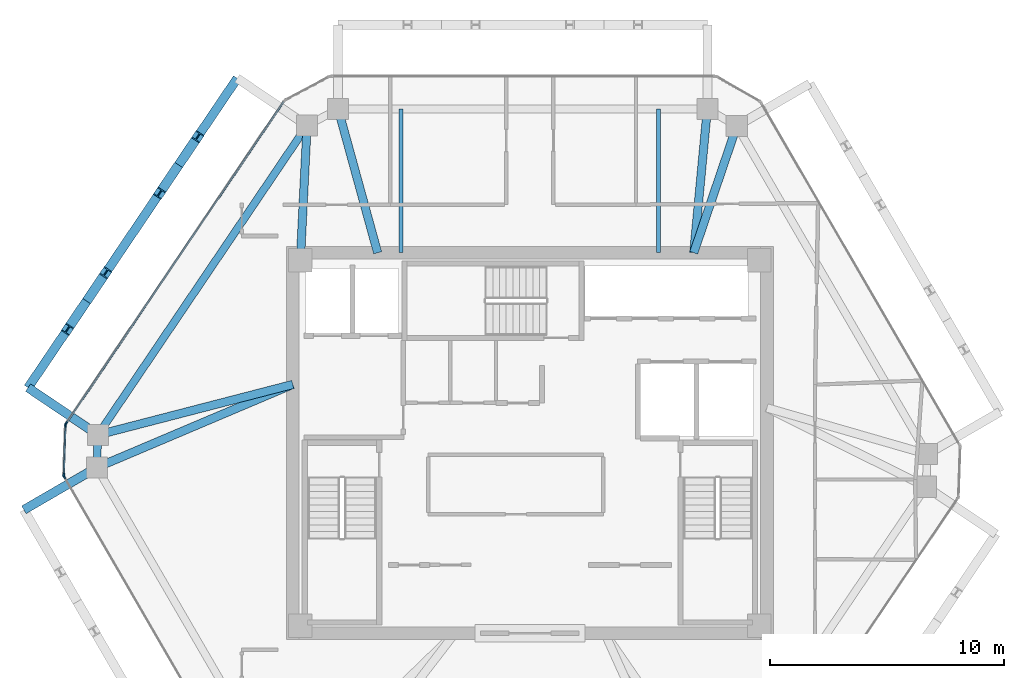
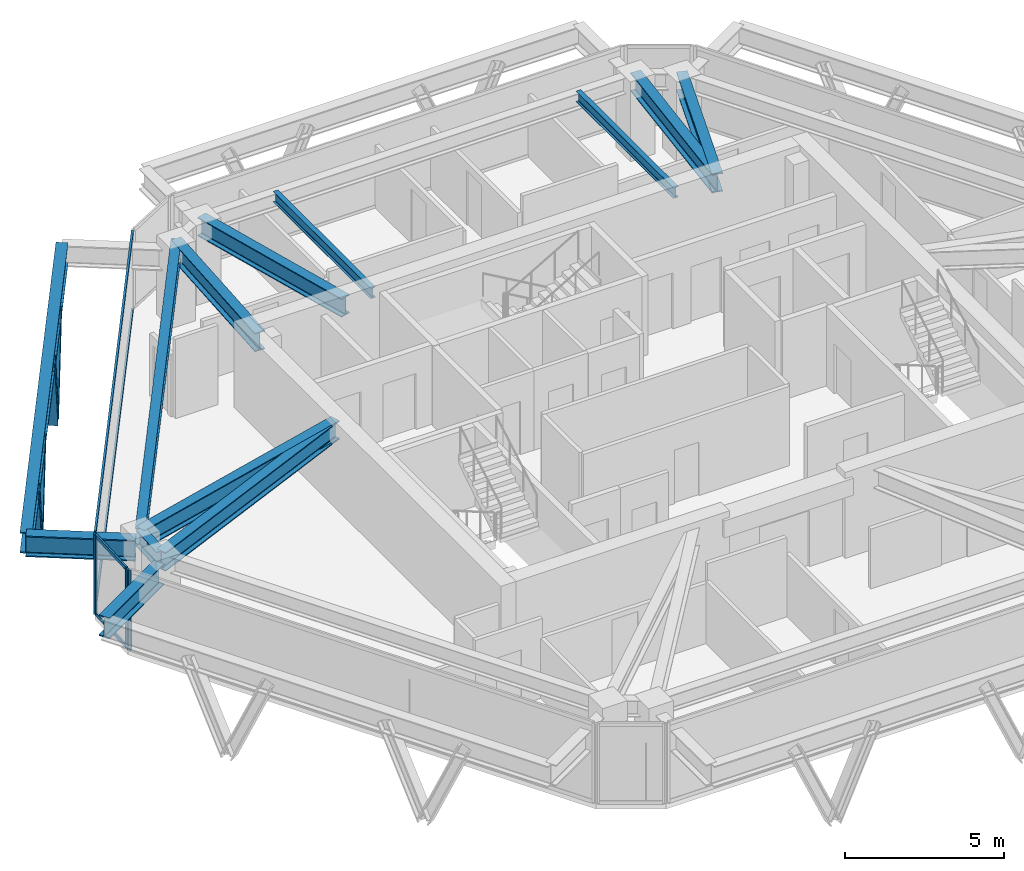
# One storey, part 4 of 11: 13 beams, 12 members, 3 elements without a shape of their own.
"""IFC4 building model written with IfcOpenShell, lengths in metres."""

from ifc_helpers import new_model, si_unit, direction, frame, origin, origin_2d, place, context, subcontext, project, spatial, rectangle, i_section, extrude, source, transform, mapped, material, layer, layer_set, material_profile, profile_set, type_object, type_shapes, element, aggregate, save


model = new_model("IFC4")

# Units and contexts
model_context = context("Model", 3, precision=1e-05, world=origin(), true_north=direction((0.0, 1.0)))
body_context = subcontext(model_context, "Body", "Model", "MODEL_VIEW")
ifc_project = project(units=[si_unit("LENGTHUNIT", "METRE"), si_unit("AREAUNIT", "SQUARE_METRE"), si_unit("VOLUMEUNIT", "CUBIC_METRE"), si_unit("PLANEANGLEUNIT", "RADIAN"), si_unit("MASSUNIT", "GRAM", prefix="KILO")], contexts=[model_context])

# Site, building, storey
site_placement = place(None, origin())
site = spatial("IfcSite", under=ifc_project, at=site_placement, CompositionType="ELEMENT")
building_placement = place(site_placement, origin())
building = spatial("IfcBuilding", under=site, at=building_placement, Name="Durnholm Broadcast Tower", CompositionType="ELEMENT")
storey_placement = place(building_placement, frame((0.0, 0.0, 231.5)))
storey = spatial("IfcBuildingStorey", under=building, at=storey_placement, Name="L64", CompositionType="ELEMENT", Elevation=231.5)

# Beams
ifc_material_1 = material(Name="Steel ASTM A992 Grade 50", Category="steel")
ifc_material_profile_1 = material_profile(ifc_material_1, i_section(OverallWidth=0.385009765625, OverallDepth=0.802978515625, WebThickness=0.023681640625, FlangeThickness=0.0419921875, FilletRadius=0.032958984375, at=origin_2d()), Name="W30X261")
ifc_profile_set_1 = profile_set([ifc_material_profile_1], Name="Steel ASTM A992 Grade 50")
beam_type_1 = type_object("IfcBeamType", Name="BM-EXO-TIE", PredefinedType="USERDEFINED", material=ifc_profile_set_1)
shared_shape_1 = source(origin(), body_context, "Body", "SweptSolid", [
    extrude(i_section(OverallWidth=0.385009765625, OverallDepth=0.802978515625, WebThickness=0.023681640625, FlangeThickness=0.0419921875, FilletRadius=0.032958984375, at=origin_2d()), origin(), (0.0, 0.0, 1.0), 3.4560546875),
])
for number, where, z_axis, x_axis, name in (
    (1, (-18.565673828125, 0.426513671875, 2.30859375), (-0.828413564093, 0.56011692246, 0.0), (-0.56011692246, -0.828413564093, 0.0), "L64 exoskeleton stand-off tie bracket F5.2"),
    (2, (-18.618896484375, -1.1201171875, 2.30859375), (-0.864876013532, -0.501985538852, 0.0), (0.501985538852, -0.864876013532, 0.0), "L64 exoskeleton stand-off tie bracket F6.1"),
):
    element("IfcBeam", number, at=place(storey_placement, frame(where, z_axis=z_axis, x_axis=x_axis)), inside=storey, type_object=beam_type_1, Name=name, ObjectType="GIRDER", PredefinedType="USERDEFINED", context=body_context, shape_type="MappedRepresentation", body=[
        mapped(shared_shape_1, transform((0.0, 0.0, 0.0), x_axis=(1.0, 0.0, 0.0), y_axis=(0.0, 1.0, 0.0), z_axis=(0.0, 0.0, 1.0), scale=1.0)),
    ])
ifc_material_profile_2 = material_profile(ifc_material_1, i_section(OverallWidth=0.3251953125, OverallDepth=0.6162109375, WebThickness=0.013916015625, FlangeThickness=0.021484375, FilletRadius=0.02783203125, at=origin_2d()), Name="W24X117")
ifc_profile_set_2 = profile_set([ifc_material_profile_2], Name="Steel ASTM A992 Grade 50")
beam_type_2 = type_object("IfcBeamType", Name="STL-SP-W24X117", PredefinedType="SPANDREL", material=ifc_profile_set_2)
shared_shape_2 = source(origin(), body_context, "Body", "SweptSolid", [
    extrude(i_section(OverallWidth=0.3251953125, OverallDepth=0.6162109375, WebThickness=0.013916015625, FlangeThickness=0.021484375, FilletRadius=0.02783203125, at=origin_2d()), origin(), (0.0, 0.0, 1.0), 1.39453125),
])
beam_1_placement = place(storey_placement, frame((-18.494384765625, -1.0478515625, 2.73681640625), z_axis=(0.034486393061, 0.999405167434, 0.0), x_axis=(-0.999405167434, 0.034486393061, 0.0)))
element("IfcBeam", 3, at=beam_1_placement, inside=storey, type_object=beam_type_2, Name="L64 perimeter spandrel girder 02", PredefinedType="SPANDREL", context=body_context, shape_type="MappedRepresentation", body=[
    mapped(shared_shape_2, transform((0.0, 0.0, 0.0), x_axis=(1.0, 0.0, 0.0), y_axis=(0.0, 1.0, 0.0), z_axis=(0.0, 0.0, 1.0), scale=1.0)),
])
shared_shape_3 = source(origin(), body_context, "Body", "SweptSolid", [
    extrude(i_section(OverallWidth=0.3251953125, OverallDepth=0.6162109375, WebThickness=0.013916015625, FlangeThickness=0.021484375, FilletRadius=0.02783203125, at=origin_2d()), origin(), (0.0, 0.0, 1.0), 15.947265625),
])
type_shapes(beam_type_2, [shared_shape_2, shared_shape_3])
beam_2_placement = place(storey_placement, frame((-18.4462890625, 0.345947265625, 2.73681640625), z_axis=(0.560062212489, 0.828450552623, 0.0), x_axis=(-0.828450552623, 0.560062212489, 0.0)))
element("IfcBeam", 4, at=beam_2_placement, inside=storey, type_object=beam_type_2, Name="L64 perimeter spandrel girder 03", PredefinedType="SPANDREL", context=body_context, shape_type="MappedRepresentation", body=[
    mapped(shared_shape_3, transform((0.0, 0.0, 0.0), x_axis=(1.0, 0.0, 0.0), y_axis=(0.0, 1.0, 0.0), z_axis=(0.0, 0.0, 1.0), scale=1.0)),
])
ifc_material_profile_3 = material_profile(ifc_material_1, i_section(OverallWidth=0.3564453125, OverallDepth=0.713623046875, WebThickness=0.01904296875, FlangeThickness=0.033935546875, FilletRadius=0.030517578125, at=origin_2d()), Name="W27X194")
ifc_profile_set_3 = profile_set([ifc_material_profile_3], Name="Steel ASTM A992 Grade 50")
beam_type_3 = type_object("IfcBeamType", Name="STL-GR-W27X194", PredefinedType="USERDEFINED", material=ifc_profile_set_3)
shared_shape_4 = source(origin(), body_context, "Body", "SweptSolid", [
    extrude(i_section(OverallWidth=0.3564453125, OverallDepth=0.713623046875, WebThickness=0.01904296875, FlangeThickness=0.033935546875, FilletRadius=0.030517578125, at=origin_2d()), origin(), (0.0, 0.0, 1.0), 5.764404296875),
])
beam_3_placement = place(storey_placement, frame((-9.800048828125, 7.800048828125, 2.688232421875), z_axis=(0.049468662109, 0.99877567625, 0.0), x_axis=(-0.99877567625, 0.049468662109, 0.0)))
element("IfcBeam", 5, at=beam_3_placement, inside=storey, type_object=beam_type_3, Name="L64 radial primary floor girder 04", ObjectType="GIRDER", PredefinedType="USERDEFINED", context=body_context, shape_type="MappedRepresentation", body=[
    mapped(shared_shape_4, transform((0.0, 0.0, 0.0), x_axis=(1.0, 0.0, 0.0), y_axis=(0.0, 1.0, 0.0), z_axis=(0.0, 0.0, 1.0), scale=1.0)),
])
shared_shape_5 = source(origin(), body_context, "Body", "SweptSolid", [
    extrude(i_section(OverallWidth=0.385009765625, OverallDepth=0.802978515625, WebThickness=0.023681640625, FlangeThickness=0.0419921875, FilletRadius=0.032958984375, at=origin_2d()), origin(), (0.0, 0.0, 1.0), 15.947021484375),
])
type_shapes(beam_type_1, [shared_shape_1, shared_shape_5])
beam_4_placement = place(storey_placement, frame((-12.497314453125, 15.573486328125, 2.30859375), z_axis=(-0.560069315853, -0.828445750451, 0.0), x_axis=(0.828445750451, -0.560069315853, 0.0)))
element("IfcBeam", 6, at=beam_4_placement, inside=storey, type_object=beam_type_1, Name="L64 exoskeleton collector spandrel F5", PredefinedType="SPANDREL", context=body_context, shape_type="MappedRepresentation", body=[
    mapped(shared_shape_5, transform((0.0, 0.0, 0.0), x_axis=(1.0, 0.0, 0.0), y_axis=(0.0, 1.0, 0.0), z_axis=(0.0, 0.0, 1.0), scale=1.0)),
])
shared_shape_6 = source(origin(), body_context, "Body", "SweptSolid", [
    extrude(i_section(OverallWidth=0.3564453125, OverallDepth=0.713623046875, WebThickness=0.01904296875, FlangeThickness=0.033935546875, FilletRadius=0.030517578125, at=origin_2d()), origin(), (0.0, 0.0, 1.0), 9.09033203125),
])
beam_5_placement = place(storey_placement, frame((-10.125, 2.5, 2.688232421875), z_axis=(-0.920692350722, -0.390289117607, 0.0), x_axis=(0.390289117607, -0.920692350722, 0.0)))
element("IfcBeam", 7, at=beam_5_placement, inside=storey, type_object=beam_type_3, Name="L64 radial primary floor girder 02", ObjectType="GIRDER", PredefinedType="USERDEFINED", context=body_context, shape_type="MappedRepresentation", body=[
    mapped(shared_shape_6, transform((0.0, 0.0, 0.0), x_axis=(1.0, 0.0, 0.0), y_axis=(0.0, 1.0, 0.0), z_axis=(0.0, 0.0, 1.0), scale=1.0)),
])
shared_shape_7 = source(origin(), body_context, "Body", "SweptSolid", [
    extrude(i_section(OverallWidth=0.3564453125, OverallDepth=0.713623046875, WebThickness=0.01904296875, FlangeThickness=0.033935546875, FilletRadius=0.030517578125, at=origin_2d()), origin(), (0.0, 0.0, 1.0), 8.595458984375),
])
beam_6_placement = place(storey_placement, frame((-10.125, 2.5, 2.688232421875), z_axis=(-0.968090619149, -0.250600385306, 0.0), x_axis=(0.250600385306, -0.968090619149, 0.0)))
element("IfcBeam", 8, at=beam_6_placement, inside=storey, type_object=beam_type_3, Name="L64 radial primary floor girder 03", ObjectType="GIRDER", PredefinedType="USERDEFINED", context=body_context, shape_type="MappedRepresentation", body=[
    mapped(shared_shape_7, transform((0.0, 0.0, 0.0), x_axis=(1.0, 0.0, 0.0), y_axis=(0.0, 1.0, 0.0), z_axis=(0.0, 0.0, 1.0), scale=1.0)),
])
shared_shape_8 = source(origin(), body_context, "Body", "SweptSolid", [
    extrude(i_section(OverallWidth=0.3564453125, OverallDepth=0.713623046875, WebThickness=0.01904296875, FlangeThickness=0.033935546875, FilletRadius=0.030517578125, at=origin_2d()), origin(), (0.0, 0.0, 1.0), 6.36474609375),
])
beam_7_placement = place(storey_placement, frame((-6.5, 8.125, 2.688232421875), z_axis=(-0.265168072834, 0.96420220553, 0.0), x_axis=(-0.96420220553, -0.265168072834, 0.0)))
element("IfcBeam", 9, at=beam_7_placement, inside=storey, type_object=beam_type_3, Name="L64 radial primary floor girder 05", ObjectType="GIRDER", PredefinedType="USERDEFINED", context=body_context, shape_type="MappedRepresentation", body=[
    mapped(shared_shape_8, transform((0.0, 0.0, 0.0), x_axis=(1.0, 0.0, 0.0), y_axis=(0.0, 1.0, 0.0), z_axis=(0.0, 0.0, 1.0), scale=1.0)),
])
shared_shape_9 = source(origin(), body_context, "Body", "SweptSolid", [
    extrude(i_section(OverallWidth=0.3564453125, OverallDepth=0.713623046875, WebThickness=0.01904296875, FlangeThickness=0.033935546875, FilletRadius=0.030517578125, at=origin_2d()), origin(), (0.0, 0.0, 1.0), 6.164306640625),
])
beam_8_placement = place(storey_placement, frame((7.0, 8.125, 2.688232421875), z_axis=(0.094024068139, 0.995569924521, 0.0), x_axis=(-0.995569924521, 0.094024068139, 0.0)))
element("IfcBeam", 10, at=beam_8_placement, inside=storey, type_object=beam_type_3, Name="L64 radial primary floor girder 06", ObjectType="GIRDER", PredefinedType="USERDEFINED", context=body_context, shape_type="MappedRepresentation", body=[
    mapped(shared_shape_9, transform((0.0, 0.0, 0.0), x_axis=(1.0, 0.0, 0.0), y_axis=(0.0, 1.0, 0.0), z_axis=(0.0, 0.0, 1.0), scale=1.0)),
])
shared_shape_10 = source(origin(), body_context, "Body", "SweptSolid", [
    extrude(i_section(OverallWidth=0.3564453125, OverallDepth=0.713623046875, WebThickness=0.01904296875, FlangeThickness=0.033935546875, FilletRadius=0.030517578125, at=origin_2d()), origin(), (0.0, 0.0, 1.0), 5.716064453125),
])
type_shapes(beam_type_3, [shared_shape_4, shared_shape_6, shared_shape_7, shared_shape_8, shared_shape_9, shared_shape_10])
beam_9_placement = place(storey_placement, frame((7.0, 8.125, 2.688232421875), z_axis=(0.321450919754, 0.946926241156, 0.0), x_axis=(-0.946926241156, 0.321450919754, 0.0)))
element("IfcBeam", 11, at=beam_9_placement, inside=storey, type_object=beam_type_3, Name="L64 radial primary floor girder 07", ObjectType="GIRDER", PredefinedType="USERDEFINED", context=body_context, shape_type="MappedRepresentation", body=[
    mapped(shared_shape_10, transform((0.0, 0.0, 0.0), x_axis=(1.0, 0.0, 0.0), y_axis=(0.0, 1.0, 0.0), z_axis=(0.0, 0.0, 1.0), scale=1.0)),
])
ifc_material_profile_4 = material_profile(ifc_material_1, i_section(OverallWidth=0.177734375, OverallDepth=0.40673828125, WebThickness=0.0078125, FlangeThickness=0.0126953125, FilletRadius=0.01904296875, at=origin_2d()), Name="W16X40")
ifc_profile_set_4 = profile_set([ifc_material_profile_4], Name="Steel ASTM A992 Grade 50")
beam_type_4 = type_object("IfcBeamType", Name="STL-BJ-W16X40", PredefinedType="JOIST", material=ifc_profile_set_4)
shared_shape_11 = source(origin(), body_context, "Body", "SweptSolid", [
    extrude(i_section(OverallWidth=0.177734375, OverallDepth=0.40673828125, WebThickness=0.0078125, FlangeThickness=0.0126953125, FilletRadius=0.01904296875, at=origin_2d()), origin(), (0.0, 0.0, 1.0), 6.136962890625),
])
type_shapes(beam_type_4, [shared_shape_11])
for number, where, z_axis, x_axis, name in (
    (12, (-5.5, 8.125, 2.841796875), (0.0, 1.0, 0.0), (-1.0, 0.0, 0.0), "L64 secondary floor joist 3.2"),
    (13, (5.5, 8.125, 2.841796875), (0.0, 1.0, 0.0), (-1.0, 0.0, 0.0), "L64 secondary floor joist 4.2"),
):
    element("IfcBeam", number, at=place(storey_placement, frame(where, z_axis=z_axis, x_axis=x_axis)), inside=storey, type_object=beam_type_4, Name=name, PredefinedType="JOIST", context=body_context, shape_type="MappedRepresentation", body=[
        mapped(shared_shape_11, transform((0.0, 0.0, 0.0), x_axis=(1.0, 0.0, 0.0), y_axis=(0.0, 1.0, 0.0), z_axis=(0.0, 0.0, 1.0), scale=1.0)),
    ])

# Members
ifc_material_2 = material(Name="Steel ASTM A913 Grade 65", Category="steel")
ifc_material_profile_5 = material_profile(ifc_material_2, i_section(OverallWidth=0.40625, OverallDepth=0.416015625, WebThickness=0.02978515625, FlangeThickness=0.048095703125, FilletRadius=0.030517578125, at=origin_2d()), Name="W14X257")
ifc_profile_set_5 = profile_set([ifc_material_profile_5], Name="Steel ASTM A913 Grade 65")
member_type_1 = type_object("IfcMemberType", Name="STL-DG-W14X257", PredefinedType="BRACE", material=ifc_profile_set_5)
shared_shape_12 = source(origin(), body_context, "Body", "SweptSolid", [
    extrude(i_section(OverallWidth=0.40625, OverallDepth=0.416015625, WebThickness=0.02978515625, FlangeThickness=0.048095703125, FilletRadius=0.030517578125, at=origin_2d()), origin(), (0.0, 0.0, 1.0), 3.60791015625),
])
type_shapes(member_type_1, [shared_shape_12])
for number, where, z_axis, x_axis, name in (
    (14, (-14.998046875, 11.874267578125, -0.991455078125), (0.226349134478, 0.334888450383, 0.914667040579), (-0.828505003222, 0.559981660089, 0.0), "L64 stand-off diagrid brace F5.D1.1"),
    (15, (-14.998046875, 11.874267578125, -0.991455078125), (-0.226354263477, -0.334828369412, 0.914687766641), (0.828452496411, -0.560059337206, 0.0), "L64 stand-off diagrid brace F5.D1.2"),
    (16, (-18.927978515625, 6.061279296875, -0.991455078125), (0.226354263477, 0.334828369412, 0.914687766641), (-0.828452496411, 0.560059337206, 0.0), "L64 stand-off diagrid brace F5.D2.1"),
    (17, (-18.927978515625, 6.061279296875, -0.991455078125), (-0.226354263477, -0.334828369412, 0.914687766641), (0.828452496411, -0.560059337206, 0.0), "L64 stand-off diagrid brace F5.D2.2"),
):
    element("IfcMember", number, at=place(storey_placement, frame(where, z_axis=z_axis, x_axis=x_axis)), inside=storey, type_object=member_type_1, Name=name, PredefinedType="BRACE", context=body_context, shape_type="MappedRepresentation", body=[
        mapped(shared_shape_12, transform((0.0, 0.0, 0.0), x_axis=(1.0, 0.0, 0.0), y_axis=(0.0, 1.0, 0.0), z_axis=(0.0, 0.0, 1.0), scale=1.0)),
    ])

# Curtain wall, members
ifc_material_3 = material(Name="Aluminium and Solar Control IGU", Category="aluminium")
ifc_layer_1 = layer(ifc_material_3, 0.1650390625)
ifc_layer_set_1 = layer_set([ifc_layer_1], Name="Aluminium and Solar Control IGU")
curtain_wall_type_1 = type_object("IfcCurtainWallType", Name="CW-SYS-5", PredefinedType="NOTDEFINED", material=ifc_layer_set_1)
curtain_wall_1_placement = place(storey_placement, origin())
curtain_wall_1 = element("IfcCurtainWall", 18, at=curtain_wall_1_placement, inside=storey, type_object=curtain_wall_type_1, Name="L64 curtain wall CW-CORNER CW-L64-CRN-01", PredefinedType="NOTDEFINED")
ifc_material_4 = material(Name="Aluminium 6063-T6", Category="aluminium")
ifc_material_profile_6 = material_profile(ifc_material_4, rectangle(XDim=0.06494140625, YDim=0.1298828125, at=origin_2d()), Name="CWT65X130")
ifc_profile_set_6 = profile_set([ifc_material_profile_6], Name="Aluminium 6063-T6")
member_type_2 = type_object("IfcMemberType", Name="CW-SYS-5-TRN", PredefinedType="USERDEFINED", material=ifc_profile_set_6)
shared_shape_13 = source(origin(), body_context, "Body", "SweptSolid", [
    extrude(rectangle(XDim=0.06494140625, YDim=0.1298828125, at=origin_2d()), origin(), (0.0, 0.0, 1.0), 2.070068359375),
])
type_shapes(member_type_2, [shared_shape_13])
member_1_placement = place(storey_placement, frame((-19.905029296875, -1.33740234375, 0.032470703125), z_axis=(0.034320104965, 0.999410891673, 0.0), x_axis=(-0.999410891673, 0.034320104965, 0.0)))
member_1 = element("IfcMember", 19, at=member_1_placement, type_object=member_type_2, Name="CW-CORNER transom 1.1", ObjectType="TRANSOM", PredefinedType="USERDEFINED", context=body_context, shape_type="MappedRepresentation", body=[
    mapped(shared_shape_13, transform((0.0, 0.0, 0.0), x_axis=(1.0, 0.0, 0.0), y_axis=(0.0, 1.0, 0.0), z_axis=(0.0, 0.0, 1.0), scale=1.0)),
])
member_2_placement = place(storey_placement, frame((-19.905029296875, -1.33740234375, 3.027587890625), z_axis=(0.034320104965, 0.999410891673, 0.0), x_axis=(-0.999410891673, 0.034320104965, 0.0)))
member_2 = element("IfcMember", 20, at=member_2_placement, type_object=member_type_2, Name="CW-CORNER transom 1.2", ObjectType="TRANSOM", PredefinedType="USERDEFINED", context=body_context, shape_type="MappedRepresentation", body=[
    mapped(shared_shape_13, transform((0.0, 0.0, 0.0), x_axis=(1.0, 0.0, 0.0), y_axis=(0.0, 1.0, 0.0), z_axis=(0.0, 0.0, 1.0), scale=1.0)),
])
ifc_material_profile_7 = material_profile(ifc_material_4, rectangle(XDim=0.06494140625, YDim=0.1650390625, at=origin_2d()), Name="CWM65X165")
ifc_profile_set_7 = profile_set([ifc_material_profile_7], Name="Aluminium 6063-T6")
member_type_3 = type_object("IfcMemberType", Name="CW-SYS-5-MUL", PredefinedType="MULLION", material=ifc_profile_set_7)
shared_shape_14 = source(origin(), body_context, "Body", "SweptSolid", [
    extrude(rectangle(XDim=0.06494140625, YDim=0.1650390625, at=origin_2d()), origin(), (0.0, 0.0, 1.0), 3.06005859375),
])
type_shapes(member_type_3, [shared_shape_14])
member_3_placement = place(storey_placement, frame((-19.90625, -1.369873046875, 0.0), z_axis=(0.0, 0.0, 1.0), x_axis=(-0.999410955514, 0.034318245849, 0.0)))
member_3 = element("IfcMember", 21, at=member_3_placement, type_object=member_type_3, Name="CW-CORNER mullion 1", PredefinedType="MULLION", context=body_context, shape_type="MappedRepresentation", body=[
    mapped(shared_shape_14, transform((0.0, 0.0, 0.0), x_axis=(1.0, 0.0, 0.0), y_axis=(0.0, 1.0, 0.0), z_axis=(0.0, 0.0, 1.0), scale=1.0)),
])
member_4_placement = place(storey_placement, frame((-19.8330078125, 0.763916015625, 0.0), z_axis=(0.0, 0.0, 1.0), x_axis=(-0.999410955514, 0.034318245849, 0.0)))
member_4 = element("IfcMember", 22, at=member_4_placement, type_object=member_type_3, Name="CW-CORNER mullion 2", PredefinedType="MULLION", context=body_context, shape_type="MappedRepresentation", body=[
    mapped(shared_shape_14, transform((0.0, 0.0, 0.0), x_axis=(1.0, 0.0, 0.0), y_axis=(0.0, 1.0, 0.0), z_axis=(0.0, 0.0, 1.0), scale=1.0)),
])
aggregate(curtain_wall_1, [member_3, member_4, member_1, member_2])

# Curtain wall, member
ifc_layer_2 = layer(ifc_material_3, 0.18994140625)
ifc_layer_set_2 = layer_set([ifc_layer_2], Name="Aluminium and Solar Control IGU")
curtain_wall_type_2 = type_object("IfcCurtainWallType", Name="CW-SYS-4", PredefinedType="NOTDEFINED", material=ifc_layer_set_2)
curtain_wall_2_placement = place(storey_placement, origin())
curtain_wall_2 = element("IfcCurtainWall", 23, at=curtain_wall_2_placement, inside=storey, type_object=curtain_wall_type_2, Name="L64 curtain wall CW-Z34-VIS CW-L64-F02", PredefinedType="NOTDEFINED")
ifc_material_profile_8 = material_profile(ifc_material_4, rectangle(XDim=0.070068359375, YDim=0.18994140625, at=origin_2d()), Name="CWM70X190")
ifc_profile_set_8 = profile_set([ifc_material_profile_8], Name="Aluminium 6063-T6")
member_type_4 = type_object("IfcMemberType", Name="CW-SYS-4-MUL", PredefinedType="MULLION", material=ifc_profile_set_8)
shared_shape_15 = source(origin(), body_context, "Body", "SweptSolid", [
    extrude(rectangle(XDim=0.070068359375, YDim=0.18994140625, at=origin_2d()), origin(), (0.0, 0.0, 1.0), 3.06005859375),
])
type_shapes(member_type_4, [shared_shape_15])
member_5_placement = place(storey_placement, frame((-19.812255859375, 0.825439453125, 0.0), z_axis=(0.0, 0.0, 1.0), x_axis=(-0.828443431662, 0.560072745753, 0.0)))
member_5 = element("IfcMember", 24, at=member_5_placement, type_object=member_type_4, Name="CW-Z34-VIS mullion 1", PredefinedType="MULLION", context=body_context, shape_type="MappedRepresentation", body=[
    mapped(shared_shape_15, transform((0.0, 0.0, 0.0), x_axis=(1.0, 0.0, 0.0), y_axis=(0.0, 1.0, 0.0), z_axis=(0.0, 0.0, 1.0), scale=1.0)),
])

curtain_wall_3_placement = place(storey_placement, origin())
curtain_wall_3 = element("IfcCurtainWall", 25, at=curtain_wall_3_placement, inside=storey, type_object=curtain_wall_type_2, Name="L64 curtain wall CW-Z34-VIS CW-L64-F12", PredefinedType="NOTDEFINED")
member_6_placement = place(storey_placement, frame((-19.8896484375, -1.4326171875, 0.0), z_axis=(0.0, 0.0, 1.0), x_axis=(-0.864899883824, -0.50194441023, 0.0)))
member_6 = element("IfcMember", 26, at=member_6_placement, type_object=member_type_4, Name="CW-Z34-VIS mullion 2", PredefinedType="MULLION", context=body_context, shape_type="MappedRepresentation", body=[
    mapped(shared_shape_15, transform((0.0, 0.0, 0.0), x_axis=(1.0, 0.0, 0.0), y_axis=(0.0, 1.0, 0.0), z_axis=(0.0, 0.0, 1.0), scale=1.0)),
])
aggregate(curtain_wall_3, [member_6])

# Member
ifc_material_profile_9 = material_profile(ifc_material_4, rectangle(XDim=0.070068359375, YDim=0.14990234375, at=origin_2d()), Name="CWT70X150")
ifc_profile_set_9 = profile_set([ifc_material_profile_9], Name="Aluminium 6063-T6")
member_type_5 = type_object("IfcMemberType", Name="CW-SYS-4-TRN", PredefinedType="USERDEFINED", material=ifc_profile_set_9)
shared_shape_16 = source(origin(), body_context, "Body", "SweptSolid", [
    extrude(rectangle(XDim=0.070068359375, YDim=0.14990234375, at=origin_2d()), origin(), (0.0, 0.0, 1.0), 16.55859375),
])
type_shapes(member_type_5, [shared_shape_16])
member_7_placement = place(storey_placement, frame((-19.79248046875, 0.8544921875, 0.034912109375), z_axis=(0.560071338091, 0.828444383317, 0.0), x_axis=(-0.828444383317, 0.560071338091, 0.0)))
member_7 = element("IfcMember", 27, at=member_7_placement, type_object=member_type_5, Name="CW-Z34-VIS transom 1.1", ObjectType="TRANSOM", PredefinedType="USERDEFINED", context=body_context, shape_type="MappedRepresentation", body=[
    mapped(shared_shape_16, transform((0.0, 0.0, 0.0), x_axis=(1.0, 0.0, 0.0), y_axis=(0.0, 1.0, 0.0), z_axis=(0.0, 0.0, 1.0), scale=1.0)),
])

member_8_placement = place(storey_placement, frame((-19.79248046875, 0.8544921875, 3.02490234375), z_axis=(0.560071338091, 0.828444383317, 0.0), x_axis=(-0.828444383317, 0.560071338091, 0.0)))
member_8 = element("IfcMember", 28, at=member_8_placement, type_object=member_type_5, Name="CW-Z34-VIS transom 1.2", ObjectType="TRANSOM", PredefinedType="USERDEFINED", context=body_context, shape_type="MappedRepresentation", body=[
    mapped(shared_shape_16, transform((0.0, 0.0, 0.0), x_axis=(1.0, 0.0, 0.0), y_axis=(0.0, 1.0, 0.0), z_axis=(0.0, 0.0, 1.0), scale=1.0)),
])

aggregate(curtain_wall_2, [member_5, member_7, member_8])

save(model, "model.ifc")
